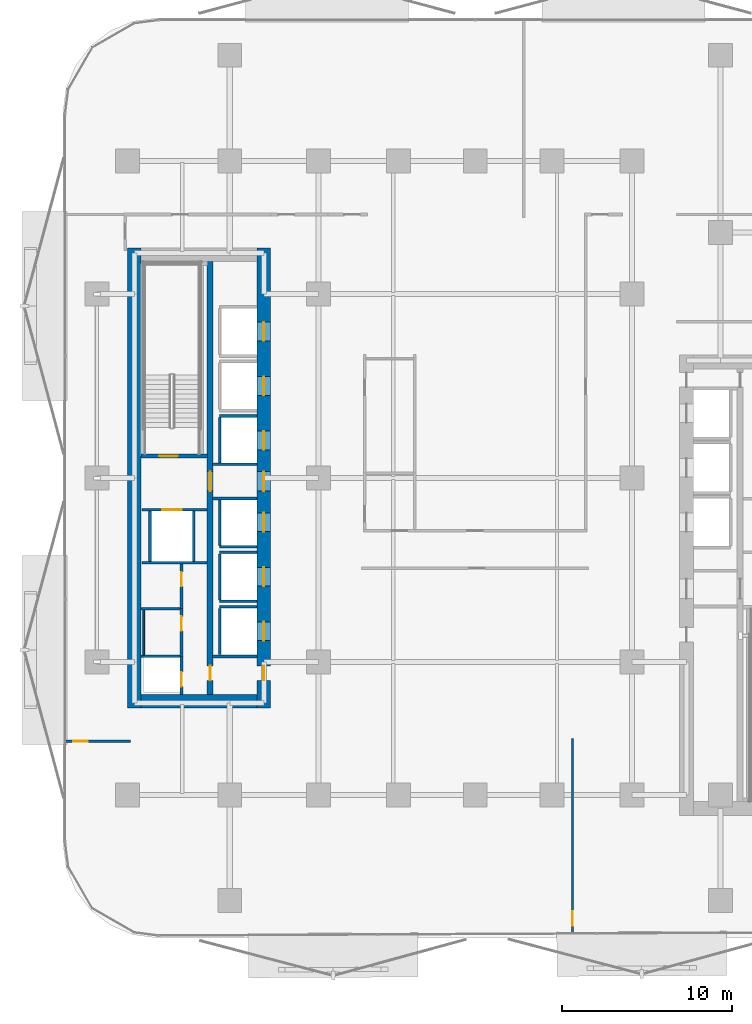
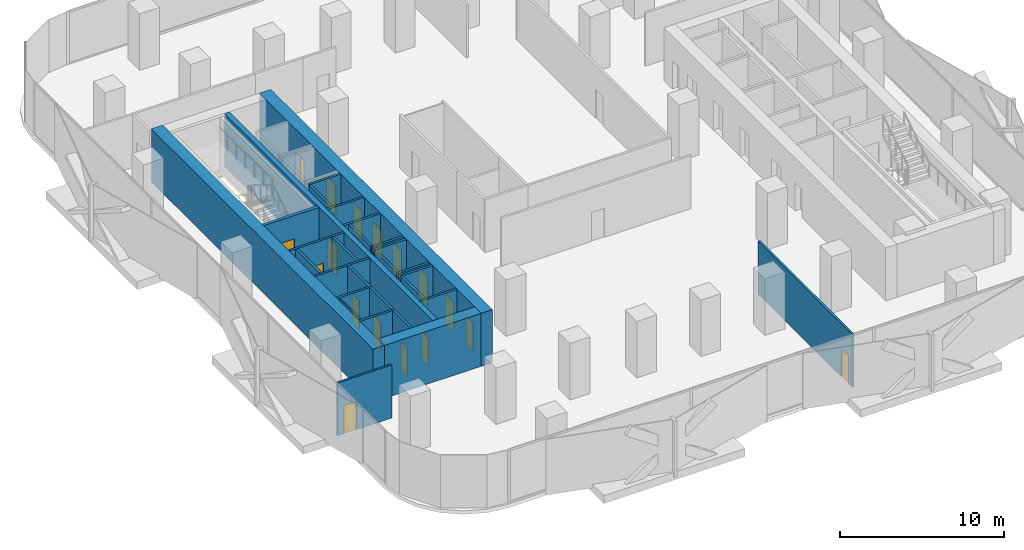
# One storey, part 3 of 15: 29 walls, 17 doors, 17 openings.
"""IFC4 building model written with IfcOpenShell, lengths in metres."""

from ifc_helpers import new_model, si_unit, direction, frame, frame_2d, origin, place, context, subcontext, project, spatial, rectangle, extrude, material, layer, layer_set, type_object, element, fill, save


model = new_model("IFC4")

# Units and contexts
model_context = context("Model", 3, precision=1e-05, world=origin(), true_north=direction((0.0, 1.0)))
body_context = subcontext(model_context, "Body", "Model", "MODEL_VIEW")
ifc_project = project(units=[si_unit("LENGTHUNIT", "METRE"), si_unit("AREAUNIT", "SQUARE_METRE"), si_unit("VOLUMEUNIT", "CUBIC_METRE"), si_unit("PLANEANGLEUNIT", "RADIAN"), si_unit("MASSUNIT", "GRAM", prefix="KILO")], contexts=[model_context])

# Site, building, storey
site_placement = place(None, origin())
site = spatial("IfcSite", under=ifc_project, at=site_placement, CompositionType="ELEMENT")
building_placement = place(site_placement, origin())
building = spatial("IfcBuilding", under=site, at=building_placement, Name="Khairoan Windgate Tower", CompositionType="ELEMENT")
storey_placement = place(building_placement, frame((0.0, 0.0, 30.199951171875)))
storey = spatial("IfcBuildingStorey", under=building, at=storey_placement, Name="L07", CompositionType="ELEMENT", Elevation=30.199951171875)

# Walls
ifc_material_1 = material(Name="Moisture-Resistant Gypsum Partition", Category="gypsum")
ifc_layer_1 = layer(ifc_material_1, 0.10009765625, Name="Moisture-Resistant Gypsum Partition")
ifc_layer_set_1 = layer_set([ifc_layer_1], Name="Moisture-Resistant Gypsum Partition")
wall_type_1 = type_object("IfcWallType", Name="Bathroom Wet-Area Partition Wall", PredefinedType="PARTITIONING", material=ifc_layer_set_1)
wall_1_placement = place(storey_placement, frame((-19.449951171875, -10.389892578125, 0.0), z_axis=(0.0, 0.0, 1.0), x_axis=(0.0, 1.0, 0.0)))
element("IfcWall", 1, at=wall_1_placement, inside=storey, type_object=wall_type_1, Name="L07 Wet Room Side Wall 031", PredefinedType="PARTITIONING", context=body_context, shape_type="SweptSolid", body=[
    extrude(rectangle(XDim=2.639892578125, YDim=0.10009765625, at=frame_2d((1.31982421875, 0.0))), origin(), (0.0, 0.0, 1.0), 3.93994140625),
])
ifc_material_2 = material(Name="Concrete C40/50", Category="concrete")
ifc_layer_2 = layer(ifc_material_2, 0.159912109375, Name="Concrete C40/50")
ifc_layer_set_2 = layer_set([ifc_layer_2], Name="Concrete C40/50")
wall_type_2 = type_object("IfcWallType", Name="Core and Hoistway Enclosure Wall", PredefinedType="STANDARD", material=ifc_layer_set_2)
wall_2_placement = place(storey_placement, frame((-14.989990234375, 3.639892578125, 0.0), z_axis=(0.0, 0.0, 1.0), x_axis=(1.0, 0.0, 0.0)))
element("IfcWall", 2, at=wall_2_placement, inside=storey, type_object=wall_type_2, Name="L07 Lift PL3 Hoistway Divider N", PredefinedType="STANDARD", context=body_context, shape_type="SweptSolid", body=[
    extrude(rectangle(XDim=2.18994140625, YDim=0.159912109375, at=frame_2d((1.094970703125, 0.0))), origin(), (0.0, 0.0, 1.0), 3.93994140625),
])
wall_3_placement = place(storey_placement, frame((-14.989990234375, 0.85009765625, 0.0), z_axis=(0.0, 0.0, 1.0), x_axis=(0.0, 1.0, 0.0)))
element("IfcWall", 3, at=wall_3_placement, inside=storey, type_object=wall_type_2, Name="L07 Lift PL3 Hoistway Back Wall", PredefinedType="STANDARD", context=body_context, shape_type="SweptSolid", body=[
    extrude(rectangle(XDim=2.699951171875, YDim=0.159912109375, at=frame_2d((1.35009765625, 0.0))), origin(), (0.0, 0.0, 1.0), 3.93994140625),
])
wall_4_placement = place(storey_placement, frame((-14.989990234375, -4.0400390625, 0.0), z_axis=(0.0, 0.0, 1.0), x_axis=(1.0, 0.0, 0.0)))
element("IfcWall", 4, at=wall_4_placement, inside=storey, type_object=wall_type_2, Name="L07 Lift PL4 Hoistway Divider S", PredefinedType="STANDARD", context=body_context, shape_type="SweptSolid", body=[
    extrude(rectangle(XDim=2.18994140625, YDim=0.159912109375, at=frame_2d((1.094970703125, 0.0))), origin(), (0.0, 0.0, 1.0), 3.93994140625),
])
wall_5_placement = place(storey_placement, frame((-14.989990234375, -3.949951171875, 0.0), z_axis=(0.0, 0.0, 1.0), x_axis=(0.0, 1.0, 0.0)))
element("IfcWall", 5, at=wall_5_placement, inside=storey, type_object=wall_type_2, Name="L07 Lift PL4 Hoistway Back Wall", PredefinedType="STANDARD", context=body_context, shape_type="SweptSolid", body=[
    extrude(rectangle(XDim=2.699951171875, YDim=0.159912109375, at=frame_2d((1.35009765625, 0.0))), origin(), (0.0, 0.0, 1.0), 3.93994140625),
])
for number, where, z_axis, x_axis, name in (
    (6, (-14.989990234375, -7.239990234375, 0.0), (0.0, 0.0, 1.0), (1.0, 0.0, 0.0), "L07 Lift PL5 Hoistway Divider S"),
    (7, (-14.989990234375, -4.360107421875, 0.0), (0.0, 0.0, 1.0), (1.0, 0.0, 0.0), "L07 Lift PL5 Hoistway Divider N"),
):
    element("IfcWall", number, at=place(storey_placement, frame(where, z_axis=z_axis, x_axis=x_axis)), inside=storey, type_object=wall_type_2, Name=name, PredefinedType="STANDARD", context=body_context, shape_type="SweptSolid", body=[
        extrude(rectangle(XDim=2.18994140625, YDim=0.159912109375, at=frame_2d((1.094970703125, 0.0))), origin(), (0.0, 0.0, 1.0), 3.93994140625),
    ])
wall_6_placement = place(storey_placement, frame((-14.989990234375, -7.14990234375, 0.0), z_axis=(0.0, 0.0, 1.0), x_axis=(0.0, 1.0, 0.0)))
element("IfcWall", 8, at=wall_6_placement, inside=storey, type_object=wall_type_2, Name="L07 Lift PL5 Hoistway Back Wall", PredefinedType="STANDARD", context=body_context, shape_type="SweptSolid", body=[
    extrude(rectangle(XDim=2.699951171875, YDim=0.159912109375, at=frame_2d((1.35009765625, 0.0))), origin(), (0.0, 0.0, 1.0), 3.93994140625),
])
wall_7_placement = place(storey_placement, frame((-14.989990234375, -7.56005859375, 0.0), z_axis=(0.0, 0.0, 1.0), x_axis=(1.0, 0.0, 0.0)))
element("IfcWall", 9, at=wall_7_placement, inside=storey, type_object=wall_type_2, Name="L07 Lift PL6 Hoistway Divider N", PredefinedType="STANDARD", context=body_context, shape_type="SweptSolid", body=[
    extrude(rectangle(XDim=2.18994140625, YDim=0.159912109375, at=frame_2d((1.094970703125, 0.0))), origin(), (0.0, 0.0, 1.0), 3.93994140625),
])
wall_8_placement = place(storey_placement, frame((-14.989990234375, -10.35009765625, 0.0), z_axis=(0.0, 0.0, 1.0), x_axis=(0.0, 1.0, 0.0)))
element("IfcWall", 10, at=wall_8_placement, inside=storey, type_object=wall_type_2, Name="L07 Lift PL6 Hoistway Back Wall", PredefinedType="STANDARD", context=body_context, shape_type="SweptSolid", body=[
    extrude(rectangle(XDim=2.7001953125, YDim=0.159912109375, at=frame_2d((1.35009765625, 0.0))), origin(), (0.0, 0.0, 1.0), 3.93994140625),
])

# Wall, opening, door
wall_9_placement = place(storey_placement, frame((-19.550048828125, -1.860107421875, 0.0), z_axis=(0.0, 0.0, 1.0), x_axis=(1.0, 0.0, 0.0)))
wall_9 = element("IfcWall", 11, at=wall_9_placement, inside=storey, type_object=wall_type_2, Name="L07 Core Shaft Wall SW-FL2-L07", PredefinedType="STANDARD", context=body_context, shape_type="SweptSolid", body=[
    extrude(rectangle(XDim=3.800048828125, YDim=0.159912109375, at=frame_2d((1.89990234375, 0.0))), origin(), (0.0, 0.0, 1.0), 3.93994140625),
])
opening_1_placement = place(wall_9_placement, frame((1.179931640625, 0.0, 0.0)))
opening_1 = element("IfcOpeningElement", 12, at=opening_1_placement, cuts=wall_9, Name="Opening LD-FL", PredefinedType="OPENING", context=body_context, shape_type="SweptSolid", body=[
    extrude(rectangle(XDim=1.14990234375, YDim=2.199951171875, at=frame_2d((0.574951171875, 1.10009765625))), frame((0.0, 0.08984375, 0.0), z_axis=(0.0, -1.0, 0.0), x_axis=(1.0, 0.0, 0.0)), (0.0, 0.0, 1.0), 0.179931640625),
])
ifc_material_3 = material(Name="Steel S355", Category="steel")
door_type_1 = type_object("IfcDoorType", Name="Firefighting Lift Sliding Landing Door LD-FL 1150x2200", OperationType="DOUBLE_DOOR_SLIDING", PredefinedType="DOOR", material=ifc_material_3)
door_1_placement = place(opening_1_placement, origin())
door_1 = element("IfcDoor", 13, at=door_1_placement, inside=storey, type_object=door_type_1, Name="L07 Firefighting Lift FL2 Landing Door", OperationType="DOUBLE_DOOR_SLIDING", OverallHeight=2.199951171875, OverallWidth=1.14990234375, PredefinedType="DOOR", context=body_context, shape_type="SweptSolid", body=[
    extrude(rectangle(XDim=1.14990234375, YDim=2.199951171875, at=frame_2d((0.574951171875, 1.10009765625))), frame((0.0, 0.02490234375, 0.0), z_axis=(0.0, -1.0, 0.0), x_axis=(1.0, 0.0, 0.0)), (0.0, 0.0, 1.0), 0.050048828125),
])
fill(opening_1, door_1)

# Walls
wall_10_placement = place(storey_placement, frame((-19.550048828125, -4.97998046875, 0.0), z_axis=(0.0, 0.0, 1.0), x_axis=(1.0, 0.0, 0.0)))
element("IfcWall", 14, at=wall_10_placement, inside=storey, type_object=wall_type_2, Name="L07 Core Shaft Wall SW-FL2B-L07", PredefinedType="STANDARD", context=body_context, shape_type="SweptSolid", body=[
    extrude(rectangle(XDim=3.800048828125, YDim=0.159912109375, at=frame_2d((1.89990234375, 0.0))), origin(), (0.0, 0.0, 1.0), 3.93994140625),
])
for number, where, z_axis, x_axis, name in (
    (15, (-19.080078125, -4.89990234375, 0.0), (0.0, 0.0, 1.0), (0.0, 1.0, 0.0), "L07 Core Shaft Wall SW-FL2W-L07"),
    (16, (-16.52001953125, -4.89990234375, 0.0), (0.0, 0.0, 1.0), (0.0, 1.0, 0.0), "L07 Core Shaft Wall SW-FL2E-L07"),
):
    element("IfcWall", number, at=place(storey_placement, frame(where, z_axis=z_axis, x_axis=x_axis)), inside=storey, type_object=wall_type_2, Name=name, PredefinedType="STANDARD", context=body_context, shape_type="SweptSolid", body=[
        extrude(rectangle(XDim=2.9599609375, YDim=0.159912109375, at=frame_2d((1.47998046875, 0.0))), origin(), (0.0, 0.0, 1.0), 3.93994140625),
    ])
for number, where, z_axis, x_axis, name in (
    (17, (-15.39990234375, 0.800048828125, 0.0), (0.0, 0.0, 1.0), (1.0, 0.0, 0.0), "L07 Core Shaft Wall SW-WV1-L07"),
    (18, (-15.39990234375, -1.199951171875, 0.0), (0.0, 0.0, 1.0), (1.0, 0.0, 0.0), "L07 Core Shaft Wall SW-WV2-L07"),
    (19, (-15.39990234375, -10.47998046875, 0.0), (0.0, 0.0, 1.0), (1.0, 0.0, 0.0), "L07 Core Shaft Wall SW-WSV-L07"),
):
    element("IfcWall", number, at=place(storey_placement, frame(where, z_axis=z_axis, x_axis=x_axis)), inside=storey, type_object=wall_type_2, Name=name, PredefinedType="STANDARD", context=body_context, shape_type="SweptSolid", body=[
        extrude(rectangle(XDim=2.599853515625, YDim=0.159912109375, at=frame_2d((1.2998046875, 0.0))), origin(), (0.0, 0.0, 1.0), 3.93994140625),
    ])

# Wall, opening, door
ifc_material_4 = material(Name="Acoustic Fire-Rated Gypsum Partition", Category="gypsum")
ifc_layer_3 = layer(ifc_material_4, 0.139892578125, Name="Acoustic Fire-Rated Gypsum Partition")
ifc_layer_set_3 = layer_set([ifc_layer_3], Name="Acoustic Fire-Rated Gypsum Partition")
wall_type_3 = type_object("IfcWallType", Name="Inter-Tenancy Compartment Wall", PredefinedType="PARTITIONING", material=ifc_layer_set_3)
wall_11_placement = place(storey_placement, frame((-24.054931640625, -15.4599609375, 0.0), z_axis=(0.0, 0.0, 1.0), x_axis=(1.0, 0.0, 0.0)))
wall_11 = element("IfcWall", 20, at=wall_11_placement, inside=storey, type_object=wall_type_3, Name="L07 Interior Partition 023", PredefinedType="PARTITIONING", context=body_context, shape_type="SweptSolid", body=[
    extrude(rectangle(XDim=3.81494140625, YDim=0.139892578125, at=frame_2d((1.907470703125, 0.0))), origin(), (0.0, 0.0, 1.0), 3.93994140625),
])
opening_2_placement = place(wall_11_placement, frame((0.4599609375, 0.0, 0.0)))
opening_2 = element("IfcOpeningElement", 21, at=opening_2_placement, cuts=wall_11, Name="Opening FD-SRV", PredefinedType="OPENING", context=body_context, shape_type="SweptSolid", body=[
    extrude(rectangle(XDim=0.85009765625, YDim=2.10009765625, at=frame_2d((0.425048828125, 1.050048828125))), frame((0.0, 0.079833984375, 0.0), z_axis=(0.0, -1.0, 0.0), x_axis=(1.0, 0.0, 0.0)), (0.0, 0.0, 1.0), 0.159912109375),
])
ifc_material_5 = material(Name="Steel S355", Category="steel")
door_type_2 = type_object("IfcDoorType", Name="Core Service and Riser Fire Door FD-SRV 850x2100", OperationType="NOTDEFINED", PredefinedType="DOOR", material=ifc_material_5)
door_2_placement = place(opening_2_placement, origin())
door_2 = element("IfcDoor", 22, at=door_2_placement, inside=storey, type_object=door_type_2, Name="L07 L07-35-L07-40 Door", OperationType="SINGLE_SWING_LEFT", OverallHeight=2.10009765625, OverallWidth=0.85009765625, PredefinedType="DOOR", context=body_context, shape_type="SweptSolid", body=[
    extrude(rectangle(XDim=0.85009765625, YDim=2.10009765625, at=frame_2d((0.425048828125, 1.050048828125))), frame((0.0, 0.02490234375, 0.0), z_axis=(0.0, -1.0, 0.0), x_axis=(1.0, 0.0, 0.0)), (0.0, 0.0, 1.0), 0.050048828125),
])
fill(opening_2, door_2)

wall_12_placement = place(storey_placement, frame((5.7119140625, -26.7373046875, 0.0), z_axis=(0.0, 0.0, 1.0), x_axis=(0.0, 1.0, 0.0)))
wall_12 = element("IfcWall", 23, at=wall_12_placement, inside=storey, type_object=wall_type_3, Name="L07 Interior Partition 027", PredefinedType="PARTITIONING", context=body_context, shape_type="SweptSolid", body=[
    extrude(rectangle(XDim=11.457275390625, YDim=0.139892578125, at=frame_2d((5.728515625, 0.0))), origin(), (0.0, 0.0, 1.0), 3.93994140625),
])
opening_3_placement = place(wall_12_placement, frame((0.4599609375, 0.0, 0.0)))
opening_3 = element("IfcOpeningElement", 24, at=opening_3_placement, cuts=wall_12, Name="Opening FD-SRV", PredefinedType="OPENING", context=body_context, shape_type="SweptSolid", body=[
    extrude(rectangle(XDim=0.85009765625, YDim=2.10009765625, at=frame_2d((0.425048828125, 1.050048828125))), frame((0.0, 0.079833984375, 0.0), z_axis=(0.0, -1.0, 0.0), x_axis=(1.0, 0.0, 0.0)), (0.0, 0.0, 1.0), 0.159912109375),
])
door_3_placement = place(opening_3_placement, origin())
door_3 = element("IfcDoor", 25, at=door_3_placement, inside=storey, type_object=door_type_2, Name="L07 L07-40-L07-41 Door", OperationType="SINGLE_SWING_RIGHT", OverallHeight=2.10009765625, OverallWidth=0.85009765625, PredefinedType="DOOR", context=body_context, shape_type="SweptSolid", body=[
    extrude(rectangle(XDim=0.85009765625, YDim=2.10009765625, at=frame_2d((0.425048828125, 1.050048828125))), frame((0.0, 0.02490234375, 0.0), z_axis=(0.0, -1.0, 0.0), x_axis=(1.0, 0.0, 0.0)), (0.0, 0.0, 1.0), 0.050048828125),
])
fill(opening_3, door_3)

ifc_material_6 = material(Name="Concrete C40/50", Category="concrete")
ifc_layer_4 = layer(ifc_material_6, 0.159912109375, Name="Concrete C40/50")
ifc_layer_set_4 = layer_set([ifc_layer_4], Name="Concrete C40/50")
wall_type_4 = type_object("IfcWallType", Name="Plant and Refuge Compartment Wall", PredefinedType="PARTITIONING", material=ifc_layer_set_4)
wall_13_placement = place(storey_placement, frame((-17.22998046875, -12.699951171875, 0.0), z_axis=(0.0, 0.0, 1.0), x_axis=(0.0, 1.0, 0.0)))
wall_13 = element("IfcWall", 26, at=wall_13_placement, inside=storey, type_object=wall_type_4, Name="L07 Interior Partition 001", PredefinedType="PARTITIONING", context=body_context, shape_type="SweptSolid", body=[
    extrude(rectangle(XDim=2.22998046875, YDim=0.159912109375, at=frame_2d((1.114990234375, 0.0))), origin(), (0.0, 0.0, 1.0), 3.93994140625),
])
opening_4_placement = place(wall_13_placement, frame((0.4599609375, 0.0, 0.0)))
opening_4 = element("IfcOpeningElement", 27, at=opening_4_placement, cuts=wall_13, Name="Opening FD-SRV", PredefinedType="OPENING", context=body_context, shape_type="SweptSolid", body=[
    extrude(rectangle(XDim=0.85009765625, YDim=2.10009765625, at=frame_2d((0.425048828125, 1.050048828125))), frame((0.0, 0.08984375, 0.0), z_axis=(0.0, -1.0, 0.0), x_axis=(1.0, 0.0, 0.0)), (0.0, 0.0, 1.0), 0.179931640625),
])
door_4_placement = place(opening_4_placement, origin())
door_4 = element("IfcDoor", 28, at=door_4_placement, inside=storey, type_object=door_type_2, Name="L07 L07-04-L07-05 Door", OperationType="SINGLE_SWING_LEFT", OverallHeight=2.10009765625, OverallWidth=0.85009765625, PredefinedType="DOOR", context=body_context, shape_type="SweptSolid", body=[
    extrude(rectangle(XDim=0.85009765625, YDim=2.10009765625, at=frame_2d((0.425048828125, 1.050048828125))), frame((0.0, 0.02490234375, 0.0), z_axis=(0.0, -1.0, 0.0), x_axis=(1.0, 0.0, 0.0)), (0.0, 0.0, 1.0), 0.050048828125),
])
fill(opening_4, door_4)

wall_14_placement = place(storey_placement, frame((-17.22998046875, -10.469970703125, 0.0), z_axis=(0.0, 0.0, 1.0), x_axis=(0.0, 1.0, 0.0)))
wall_14 = element("IfcWall", 29, at=wall_14_placement, inside=storey, type_object=wall_type_4, Name="L07 Interior Partition 002", PredefinedType="PARTITIONING", context=body_context, shape_type="SweptSolid", body=[
    extrude(rectangle(XDim=2.800048828125, YDim=0.159912109375, at=frame_2d((1.39990234375, 0.0))), origin(), (0.0, 0.0, 1.0), 3.93994140625),
])
opening_5_placement = place(wall_14_placement, frame((1.489990234375, 0.0, 0.0)))
opening_5 = element("IfcOpeningElement", 30, at=opening_5_placement, cuts=wall_14, Name="Opening FD-SRV", PredefinedType="OPENING", context=body_context, shape_type="SweptSolid", body=[
    extrude(rectangle(XDim=0.85009765625, YDim=2.10009765625, at=frame_2d((0.425048828125, 1.050048828125))), frame((0.0, 0.08984375, 0.0), z_axis=(0.0, -1.0, 0.0), x_axis=(1.0, 0.0, 0.0)), (0.0, 0.0, 1.0), 0.179931640625),
])
door_5_placement = place(opening_5_placement, origin())
door_5 = element("IfcDoor", 31, at=door_5_placement, inside=storey, type_object=door_type_2, Name="L07 L07-04-L07-06 Door", OperationType="SINGLE_SWING_RIGHT", OverallHeight=2.10009765625, OverallWidth=0.85009765625, PredefinedType="DOOR", context=body_context, shape_type="SweptSolid", body=[
    extrude(rectangle(XDim=0.85009765625, YDim=2.10009765625, at=frame_2d((0.425048828125, 1.050048828125))), frame((0.0, 0.02490234375, 0.0), z_axis=(0.0, -1.0, 0.0), x_axis=(1.0, 0.0, 0.0)), (0.0, 0.0, 1.0), 0.050048828125),
])
fill(opening_5, door_5)

wall_15_placement = place(storey_placement, frame((-17.22998046875, -7.669921875, 0.0), z_axis=(0.0, 0.0, 1.0), x_axis=(0.0, 1.0, 0.0)))
wall_15 = element("IfcWall", 32, at=wall_15_placement, inside=storey, type_object=wall_type_4, Name="L07 Interior Partition 003", PredefinedType="PARTITIONING", context=body_context, shape_type="SweptSolid", body=[
    extrude(rectangle(XDim=2.60986328125, YDim=0.159912109375, at=frame_2d((1.304931640625, 0.0))), origin(), (0.0, 0.0, 1.0), 3.93994140625),
])
opening_6_placement = place(wall_15_placement, frame((1.300048828125, 0.0, 0.0)))
opening_6 = element("IfcOpeningElement", 33, at=opening_6_placement, cuts=wall_15, Name="Opening FD-SRV", PredefinedType="OPENING", context=body_context, shape_type="SweptSolid", body=[
    extrude(rectangle(XDim=0.85009765625, YDim=2.10009765625, at=frame_2d((0.425048828125, 1.050048828125))), frame((0.0, 0.08984375, 0.0), z_axis=(0.0, -1.0, 0.0), x_axis=(1.0, 0.0, 0.0)), (0.0, 0.0, 1.0), 0.179931640625),
])
door_6_placement = place(opening_6_placement, origin())
door_6 = element("IfcDoor", 34, at=door_6_placement, inside=storey, type_object=door_type_2, Name="L07 L07-04-L07-07 Door", OperationType="SINGLE_SWING_LEFT", OverallHeight=2.10009765625, OverallWidth=0.85009765625, PredefinedType="DOOR", context=body_context, shape_type="SweptSolid", body=[
    extrude(rectangle(XDim=0.85009765625, YDim=2.10009765625, at=frame_2d((0.425048828125, 1.050048828125))), frame((0.0, 0.02490234375, 0.0), z_axis=(0.0, -1.0, 0.0), x_axis=(1.0, 0.0, 0.0)), (0.0, 0.0, 1.0), 0.050048828125),
])
fill(opening_6, door_6)

# Walls
for number, where, z_axis, x_axis, name in (
    (35, (-19.60009765625, -10.469970703125, 0.0), (0.0, 0.0, 1.0), (1.0, 0.0, 0.0), "L07 Interior Partition 004"),
    (36, (-19.60009765625, -7.669921875, 0.0), (0.0, 0.0, 1.0), (1.0, 0.0, 0.0), "L07 Interior Partition 005"),
):
    element("IfcWall", number, at=place(storey_placement, frame(where, z_axis=z_axis, x_axis=x_axis)), inside=storey, type_object=wall_type_4, Name=name, PredefinedType="PARTITIONING", context=body_context, shape_type="SweptSolid", body=[
        extrude(rectangle(XDim=2.2900390625, YDim=0.159912109375, at=frame_2d((1.14501953125, 0.0))), origin(), (0.0, 0.0, 1.0), 3.93994140625),
    ])
ifc_material_7 = material(Name="Concrete C70/85", Category="concrete")
ifc_layer_5 = layer(ifc_material_7, 0.800048828125, Name="Concrete C70/85")
ifc_layer_set_5 = layer_set([ifc_layer_5], Name="Concrete C70/85")
wall_type_5 = type_object("IfcWallType", Name="Shear Wall CW-W1 800mm", PredefinedType="SHEAR", material=ifc_layer_set_5)
wall_16_placement = place(storey_placement, frame((-20.0, -13.5, 0.0), z_axis=(0.0, 0.0, 1.0), x_axis=(0.0, 1.0, 0.0)))
element("IfcWall", 37, at=wall_16_placement, inside=storey, type_object=wall_type_5, Name="W Core West Shear Wall L07", PredefinedType="SHEAR", context=body_context, shape_type="SweptSolid", body=[
    extrude(rectangle(XDim=27.0, YDim=0.800048828125, at=frame_2d((13.5, 0.0))), origin(), (0.0, 0.0, 1.0), 3.93994140625),
])

# Wall, openings, doors
wall_17_placement = place(storey_placement, frame((-12.39990234375, -13.5, 0.0), z_axis=(0.0, 0.0, 1.0), x_axis=(0.0, 1.0, 0.0)))
wall_17 = element("IfcWall", 38, at=wall_17_placement, inside=storey, type_object=wall_type_5, Name="W Core East Shear Wall L07", PredefinedType="SHEAR", context=body_context, shape_type="SweptSolid", body=[
    extrude(rectangle(XDim=27.0, YDim=0.800048828125, at=frame_2d((13.5, 0.0))), origin(), (0.0, 0.0, 1.0), 3.93994140625),
])
opening_7_placement = place(wall_17_placement, frame((21.550048828125, 0.0, 0.0)))
opening_7 = element("IfcOpeningElement", 39, at=opening_7_placement, cuts=wall_17, Name="Opening LD-PL", PredefinedType="OPENING", context=body_context, shape_type="SweptSolid", body=[
    extrude(rectangle(XDim=1.10009765625, YDim=2.199951171875, at=frame_2d((0.550048828125, 1.10009765625))), frame((0.0, 0.409912109375, 0.0), z_axis=(0.0, -1.0, 0.0), x_axis=(1.0, 0.0, 0.0)), (0.0, 0.0, 1.0), 0.820068359375),
])
opening_8_placement = place(wall_17_placement, frame((18.35009765625, 0.0, 0.0)))
opening_8 = element("IfcOpeningElement", 40, at=opening_8_placement, cuts=wall_17, Name="Opening LD-PL", PredefinedType="OPENING", context=body_context, shape_type="SweptSolid", body=[
    extrude(rectangle(XDim=1.10009765625, YDim=2.199951171875, at=frame_2d((0.550048828125, 1.10009765625))), frame((0.0, 0.409912109375, 0.0), z_axis=(0.0, -1.0, 0.0), x_axis=(1.0, 0.0, 0.0)), (0.0, 0.0, 1.0), 0.820068359375),
])
opening_9_placement = place(wall_17_placement, frame((15.14990234375, 0.0, 0.0)))
opening_9 = element("IfcOpeningElement", 41, at=opening_9_placement, cuts=wall_17, Name="Opening LD-PL", PredefinedType="OPENING", context=body_context, shape_type="SweptSolid", body=[
    extrude(rectangle(XDim=1.10009765625, YDim=2.199951171875, at=frame_2d((0.550048828125, 1.10009765625))), frame((0.0, 0.409912109375, 0.0), z_axis=(0.0, -1.0, 0.0), x_axis=(1.0, 0.0, 0.0)), (0.0, 0.0, 1.0), 0.820068359375),
])
opening_10_placement = place(wall_17_placement, frame((10.35009765625, 0.0, 0.0)))
opening_10 = element("IfcOpeningElement", 42, at=opening_10_placement, cuts=wall_17, Name="Opening LD-PL", PredefinedType="OPENING", context=body_context, shape_type="SweptSolid", body=[
    extrude(rectangle(XDim=1.10009765625, YDim=2.199951171875, at=frame_2d((0.550048828125, 1.10009765625))), frame((0.0, 0.409912109375, 0.0), z_axis=(0.0, -1.0, 0.0), x_axis=(1.0, 0.0, 0.0)), (0.0, 0.0, 1.0), 0.820068359375),
])
opening_11_placement = place(wall_17_placement, frame((7.14990234375, 0.0, 0.0)))
opening_11 = element("IfcOpeningElement", 43, at=opening_11_placement, cuts=wall_17, Name="Opening LD-PL", PredefinedType="OPENING", context=body_context, shape_type="SweptSolid", body=[
    extrude(rectangle(XDim=1.10009765625, YDim=2.199951171875, at=frame_2d((0.550048828125, 1.10009765625))), frame((0.0, 0.409912109375, 0.0), z_axis=(0.0, -1.0, 0.0), x_axis=(1.0, 0.0, 0.0)), (0.0, 0.0, 1.0), 0.820068359375),
])
opening_12_placement = place(wall_17_placement, frame((3.949951171875, 0.0, 0.0)))
opening_12 = element("IfcOpeningElement", 44, at=opening_12_placement, cuts=wall_17, Name="Opening LD-PL", PredefinedType="OPENING", context=body_context, shape_type="SweptSolid", body=[
    extrude(rectangle(XDim=1.10009765625, YDim=2.199951171875, at=frame_2d((0.550048828125, 1.10009765625))), frame((0.0, 0.409912109375, 0.0), z_axis=(0.0, -1.0, 0.0), x_axis=(1.0, 0.0, 0.0)), (0.0, 0.0, 1.0), 0.820068359375),
])
opening_13_placement = place(wall_17_placement, frame((12.72509765625, 0.0, 0.0)))
opening_13 = element("IfcOpeningElement", 45, at=opening_13_placement, cuts=wall_17, Name="Opening FD-FFL", PredefinedType="OPENING", context=body_context, shape_type="SweptSolid", body=[
    extrude(rectangle(XDim=1.14990234375, YDim=2.199951171875, at=frame_2d((0.574951171875, 1.10009765625))), frame((0.0, 0.409912109375, 0.0), z_axis=(0.0, -1.0, 0.0), x_axis=(1.0, 0.0, 0.0)), (0.0, 0.0, 1.0), 0.820068359375),
])
opening_14_placement = place(wall_17_placement, frame((1.625, 0.0, 0.0)))
opening_14 = element("IfcOpeningElement", 46, at=opening_14_placement, cuts=wall_17, Name="Opening FD-SRV", PredefinedType="OPENING", context=body_context, shape_type="SweptSolid", body=[
    extrude(rectangle(XDim=0.85009765625, YDim=2.10009765625, at=frame_2d((0.425048828125, 1.050048828125))), frame((0.0, 0.409912109375, 0.0), z_axis=(0.0, -1.0, 0.0), x_axis=(1.0, 0.0, 0.0)), (0.0, 0.0, 1.0), 0.820068359375),
])
door_7_placement = place(opening_14_placement, origin())
door_7 = element("IfcDoor", 47, at=door_7_placement, inside=storey, type_object=door_type_2, Name="L07 West Core Service Vestibule Outer Door", OperationType="SINGLE_SWING_LEFT", OverallHeight=2.10009765625, OverallWidth=0.85009765625, PredefinedType="DOOR", context=body_context, shape_type="SweptSolid", body=[
    extrude(rectangle(XDim=0.85009765625, YDim=2.10009765625, at=frame_2d((0.425048828125, 1.050048828125))), frame((0.0, 0.02490234375, 0.0), z_axis=(0.0, -1.0, 0.0), x_axis=(1.0, 0.0, 0.0)), (0.0, 0.0, 1.0), 0.050048828125),
])
fill(opening_14, door_7)
ifc_material_8 = material(Name="Steel S355", Category="steel")
door_type_3 = type_object("IfcDoorType", Name="Firefighting Lobby Fire Door FD-FFL 1150x2200", OperationType="NOTDEFINED", PredefinedType="DOOR", material=ifc_material_8)
door_8_placement = place(opening_13_placement, origin())
door_8 = element("IfcDoor", 48, at=door_8_placement, inside=storey, type_object=door_type_3, Name="L07 West Core Vestibule Entry Door", OperationType="SINGLE_SWING_LEFT", OverallHeight=2.199951171875, OverallWidth=1.14990234375, PredefinedType="DOOR", context=body_context, shape_type="SweptSolid", body=[
    extrude(rectangle(XDim=1.14990234375, YDim=2.199951171875, at=frame_2d((0.574951171875, 1.10009765625))), frame((0.0, 0.02490234375, 0.0), z_axis=(0.0, -1.0, 0.0), x_axis=(1.0, 0.0, 0.0)), (0.0, 0.0, 1.0), 0.050048828125),
])
fill(opening_13, door_8)
ifc_material_9 = material(Name="Anodised Bronze Aluminium 6063-T6", Category="aluminium")
door_type_4 = type_object("IfcDoorType", Name="Passenger Lift Sliding Landing Door LD-PL 1100x2200", OperationType="DOUBLE_DOOR_SLIDING", PredefinedType="DOOR", material=ifc_material_9)
door_9_placement = place(opening_7_placement, origin())
door_9 = element("IfcDoor", 49, at=door_9_placement, inside=storey, type_object=door_type_4, Name="L07 Lift PL1 Sliding Landing Door", OperationType="DOUBLE_DOOR_SLIDING", OverallHeight=2.199951171875, OverallWidth=1.10009765625, PredefinedType="DOOR", context=body_context, shape_type="SweptSolid", body=[
    extrude(rectangle(XDim=1.10009765625, YDim=2.199951171875, at=frame_2d((0.550048828125, 1.10009765625))), frame((0.0, 0.02490234375, 0.0), z_axis=(0.0, -1.0, 0.0), x_axis=(1.0, 0.0, 0.0)), (0.0, 0.0, 1.0), 0.050048828125),
])
fill(opening_7, door_9)
door_10_placement = place(opening_8_placement, origin())
door_10 = element("IfcDoor", 50, at=door_10_placement, inside=storey, type_object=door_type_4, Name="L07 Lift PL2 Sliding Landing Door", OperationType="DOUBLE_DOOR_SLIDING", OverallHeight=2.199951171875, OverallWidth=1.10009765625, PredefinedType="DOOR", context=body_context, shape_type="SweptSolid", body=[
    extrude(rectangle(XDim=1.10009765625, YDim=2.199951171875, at=frame_2d((0.550048828125, 1.10009765625))), frame((0.0, 0.02490234375, 0.0), z_axis=(0.0, -1.0, 0.0), x_axis=(1.0, 0.0, 0.0)), (0.0, 0.0, 1.0), 0.050048828125),
])
fill(opening_8, door_10)
door_11_placement = place(opening_9_placement, origin())
door_11 = element("IfcDoor", 51, at=door_11_placement, inside=storey, type_object=door_type_4, Name="L07 Lift PL3 Sliding Landing Door", OperationType="DOUBLE_DOOR_SLIDING", OverallHeight=2.199951171875, OverallWidth=1.10009765625, PredefinedType="DOOR", context=body_context, shape_type="SweptSolid", body=[
    extrude(rectangle(XDim=1.10009765625, YDim=2.199951171875, at=frame_2d((0.550048828125, 1.10009765625))), frame((0.0, 0.02490234375, 0.0), z_axis=(0.0, -1.0, 0.0), x_axis=(1.0, 0.0, 0.0)), (0.0, 0.0, 1.0), 0.050048828125),
])
fill(opening_9, door_11)
door_12_placement = place(opening_10_placement, origin())
door_12 = element("IfcDoor", 52, at=door_12_placement, inside=storey, type_object=door_type_4, Name="L07 Lift PL4 Sliding Landing Door", OperationType="DOUBLE_DOOR_SLIDING", OverallHeight=2.199951171875, OverallWidth=1.10009765625, PredefinedType="DOOR", context=body_context, shape_type="SweptSolid", body=[
    extrude(rectangle(XDim=1.10009765625, YDim=2.199951171875, at=frame_2d((0.550048828125, 1.10009765625))), frame((0.0, 0.02490234375, 0.0), z_axis=(0.0, -1.0, 0.0), x_axis=(1.0, 0.0, 0.0)), (0.0, 0.0, 1.0), 0.050048828125),
])
fill(opening_10, door_12)
door_13_placement = place(opening_11_placement, origin())
door_13 = element("IfcDoor", 53, at=door_13_placement, inside=storey, type_object=door_type_4, Name="L07 Lift PL5 Sliding Landing Door", OperationType="DOUBLE_DOOR_SLIDING", OverallHeight=2.199951171875, OverallWidth=1.10009765625, PredefinedType="DOOR", context=body_context, shape_type="SweptSolid", body=[
    extrude(rectangle(XDim=1.10009765625, YDim=2.199951171875, at=frame_2d((0.550048828125, 1.10009765625))), frame((0.0, 0.02490234375, 0.0), z_axis=(0.0, -1.0, 0.0), x_axis=(1.0, 0.0, 0.0)), (0.0, 0.0, 1.0), 0.050048828125),
])
fill(opening_11, door_13)
door_14_placement = place(opening_12_placement, origin())
door_14 = element("IfcDoor", 54, at=door_14_placement, inside=storey, type_object=door_type_4, Name="L07 Lift PL6 Sliding Landing Door", OperationType="DOUBLE_DOOR_SLIDING", OverallHeight=2.199951171875, OverallWidth=1.10009765625, PredefinedType="DOOR", context=body_context, shape_type="SweptSolid", body=[
    extrude(rectangle(XDim=1.10009765625, YDim=2.199951171875, at=frame_2d((0.550048828125, 1.10009765625))), frame((0.0, 0.02490234375, 0.0), z_axis=(0.0, -1.0, 0.0), x_axis=(1.0, 0.0, 0.0)), (0.0, 0.0, 1.0), 0.050048828125),
])
fill(opening_12, door_14)

# Wall
wall_18_placement = place(storey_placement, frame((-19.60009765625, -13.10009765625, 0.0), z_axis=(0.0, 0.0, 1.0), x_axis=(1.0, 0.0, 0.0)))
element("IfcWall", 55, at=wall_18_placement, inside=storey, type_object=wall_type_5, Name="W Core South Shear Wall L07", PredefinedType="SHEAR", context=body_context, shape_type="SweptSolid", body=[
    extrude(rectangle(XDim=6.800048828125, YDim=0.800048828125, at=frame_2d((3.39990234375, 0.0))), origin(), (0.0, 0.0, 1.0), 3.93994140625),
])

# Wall, openings, doors
ifc_material_10 = material(Name="Concrete C60/75", Category="concrete")
ifc_layer_6 = layer(ifc_material_10, 0.35009765625, Name="Concrete C60/75")
ifc_layer_set_6 = layer_set([ifc_layer_6], Name="Concrete C60/75")
wall_type_6 = type_object("IfcWallType", Name="Shear Wall SW-1 350mm", PredefinedType="SHEAR", material=ifc_layer_set_6)
wall_19_placement = place(storey_placement, frame((-15.550048828125, -12.699951171875, 0.0), z_axis=(0.0, 0.0, 1.0), x_axis=(0.0, 1.0, 0.0)))
wall_19 = element("IfcWall", 56, at=wall_19_placement, inside=storey, type_object=wall_type_6, Name="W Core Spine Shear Wall L07", PredefinedType="SHEAR", context=body_context, shape_type="SweptSolid", body=[
    extrude(rectangle(XDim=25.39990234375, YDim=0.35009765625, at=frame_2d((12.699951171875, 0.0))), origin(), (0.0, 0.0, 1.0), 3.93994140625),
])
opening_15_placement = place(wall_19_placement, frame((11.925048828125, 0.0, 0.0)))
opening_15 = element("IfcOpeningElement", 57, at=opening_15_placement, cuts=wall_19, Name="Opening FD-FFL", PredefinedType="OPENING", context=body_context, shape_type="SweptSolid", body=[
    extrude(rectangle(XDim=1.14990234375, YDim=2.199951171875, at=frame_2d((0.574951171875, 1.10009765625))), frame((0.0, 0.18505859375, 0.0), z_axis=(0.0, -1.0, 0.0), x_axis=(1.0, 0.0, 0.0)), (0.0, 0.0, 1.0), 0.3701171875),
])
opening_16_placement = place(wall_19_placement, frame((0.824951171875, 0.0, 0.0)))
opening_16 = element("IfcOpeningElement", 58, at=opening_16_placement, cuts=wall_19, Name="Opening FD-SRV", PredefinedType="OPENING", context=body_context, shape_type="SweptSolid", body=[
    extrude(rectangle(XDim=0.85009765625, YDim=2.10009765625, at=frame_2d((0.425048828125, 1.050048828125))), frame((0.0, 0.18505859375, 0.0), z_axis=(0.0, -1.0, 0.0), x_axis=(1.0, 0.0, 0.0)), (0.0, 0.0, 1.0), 0.3701171875),
])
door_15_placement = place(opening_16_placement, origin())
door_15 = element("IfcDoor", 59, at=door_15_placement, inside=storey, type_object=door_type_2, Name="L07 West Core Service Passage Inner Door", OperationType="SINGLE_SWING_RIGHT", OverallHeight=2.10009765625, OverallWidth=0.85009765625, PredefinedType="DOOR", context=body_context, shape_type="SweptSolid", body=[
    extrude(rectangle(XDim=0.85009765625, YDim=2.10009765625, at=frame_2d((0.425048828125, 1.050048828125))), frame((0.0, 0.02490234375, 0.0), z_axis=(0.0, -1.0, 0.0), x_axis=(1.0, 0.0, 0.0)), (0.0, 0.0, 1.0), 0.050048828125),
])
fill(opening_16, door_15)
door_16_placement = place(opening_15_placement, origin())
door_16 = element("IfcDoor", 60, at=door_16_placement, inside=storey, type_object=door_type_3, Name="L07 West Firefighting Lobby Fire Door", OperationType="SINGLE_SWING_RIGHT", OverallHeight=2.199951171875, OverallWidth=1.14990234375, PredefinedType="DOOR", context=body_context, shape_type="SweptSolid", body=[
    extrude(rectangle(XDim=1.14990234375, YDim=2.199951171875, at=frame_2d((0.574951171875, 1.10009765625))), frame((0.0, 0.02490234375, 0.0), z_axis=(0.0, -1.0, 0.0), x_axis=(1.0, 0.0, 0.0)), (0.0, 0.0, 1.0), 0.050048828125),
])
fill(opening_15, door_16)

# Wall, opening, door
ifc_material_11 = material(Name="Concrete C50/60", Category="concrete")
ifc_layer_7 = layer(ifc_material_11, 0.219970703125, Name="Concrete C50/60")
ifc_layer_set_7 = layer_set([ifc_layer_7], Name="Concrete C50/60")
wall_type_7 = type_object("IfcWallType", Name="Shear Wall SW-ST 220mm", PredefinedType="SHEAR", material=ifc_layer_set_7)
wall_20_placement = place(storey_placement, frame((-19.6201171875, 1.2900390625, 0.0), z_axis=(0.0, 0.0, 1.0), x_axis=(1.0, 0.0, 0.0)))
wall_20 = element("IfcWall", 61, at=wall_20_placement, inside=storey, type_object=wall_type_7, Name="L07 Stair ST2 South Bearing Wall", PredefinedType="SHEAR", context=body_context, shape_type="SweptSolid", body=[
    extrude(rectangle(XDim=3.9150390625, YDim=0.219970703125, at=frame_2d((1.95751953125, 0.0))), origin(), (0.0, 0.0, 1.0), 3.93994140625),
])
opening_17_placement = place(wall_20_placement, frame((1.080078125, 0.0, 0.0)))
opening_17 = element("IfcOpeningElement", 62, at=opening_17_placement, cuts=wall_20, Name="Opening FD-ST", PredefinedType="OPENING", context=body_context, shape_type="SweptSolid", body=[
    extrude(rectangle(XDim=1.10009765625, YDim=2.199951171875, at=frame_2d((0.550048828125, 1.10009765625))), frame((0.0, 0.119873046875, 0.0), z_axis=(0.0, -1.0, 0.0), x_axis=(1.0, 0.0, 0.0)), (0.0, 0.0, 1.0), 0.239990234375),
])
ifc_material_12 = material(Name="Steel S355", Category="steel")
door_type_5 = type_object("IfcDoorType", Name="Smokeproof Stair Fire Door FD-ST 1100x2200", OperationType="NOTDEFINED", PredefinedType="DOOR", material=ifc_material_12)
door_17_placement = place(opening_17_placement, origin())
door_17 = element("IfcDoor", 63, at=door_17_placement, inside=storey, type_object=door_type_5, Name="L07 Stair ST2 Fire Door", OperationType="SINGLE_SWING_LEFT", OverallHeight=2.199951171875, OverallWidth=1.10009765625, PredefinedType="DOOR", context=body_context, shape_type="SweptSolid", body=[
    extrude(rectangle(XDim=1.10009765625, YDim=2.199951171875, at=frame_2d((0.550048828125, 1.10009765625))), frame((0.0, 0.02490234375, 0.0), z_axis=(0.0, -1.0, 0.0), x_axis=(1.0, 0.0, 0.0)), (0.0, 0.0, 1.0), 0.050048828125),
])
fill(opening_17, door_17)

save(model, "model.ifc")
